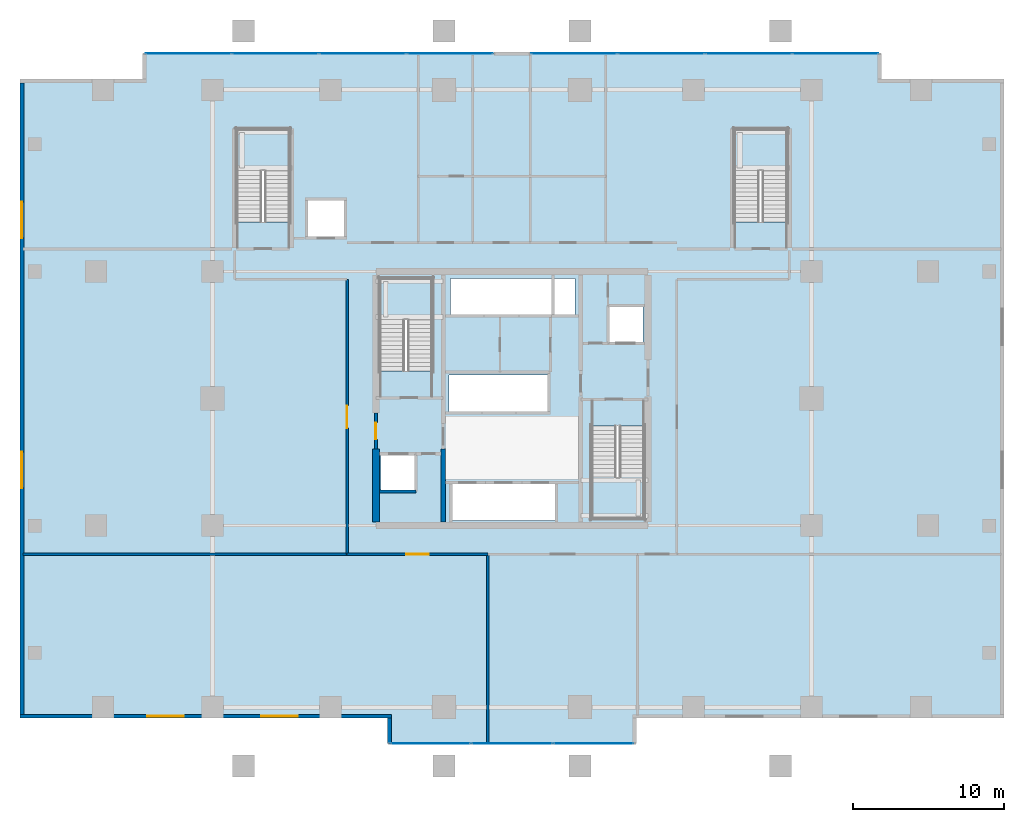
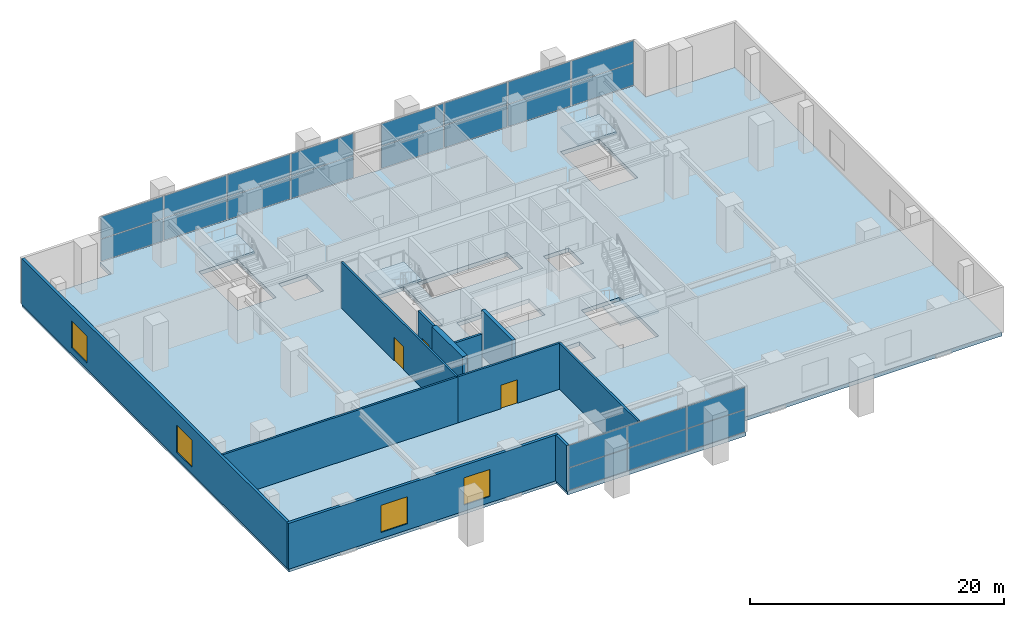
# One storey, part 12 of 20: 22 plates, 11 walls, 5 slabs, 4 windows, 3 doors, 7 openings, 7 elements without a shape of their own.
"""IFC4 building model written with IfcOpenShell, lengths in metres."""

from ifc_helpers import new_model, si_unit, direction, frame, frame_2d, origin, origin_2d, place, context, subcontext, project, spatial, polyline, rectangle, outline, extrude, source, transform, mapped, material, layer, layer_set, type_object, element, fill, aggregate, save


model = new_model("IFC4")

# Units and contexts
model_context = context("Model", 3, precision=1e-05, world=origin(), true_north=direction((0.0, 1.0)))
body_context = subcontext(model_context, "Body", "Model", "MODEL_VIEW")
ifc_project = project(units=[si_unit("LENGTHUNIT", "METRE"), si_unit("AREAUNIT", "SQUARE_METRE"), si_unit("VOLUMEUNIT", "CUBIC_METRE"), si_unit("PLANEANGLEUNIT", "RADIAN"), si_unit("MASSUNIT", "GRAM", prefix="KILO")], contexts=[model_context])

# Site, building, storey
site_placement = place(None, origin())
site = spatial("IfcSite", under=ifc_project, at=site_placement, CompositionType="ELEMENT")
building_placement = place(site_placement, origin())
building = spatial("IfcBuilding", under=site, at=building_placement, Name="Serunith Strait Residences", CompositionType="ELEMENT")
storey_placement = place(building_placement, frame((0.0, 0.0, 10.5)))
storey = spatial("IfcBuildingStorey", under=building, at=storey_placement, Name="L02", CompositionType="ELEMENT", Elevation=10.5)

# Stair, slab
ifc_material_1 = material(Name="Concrete C50/60", Category="concrete")
stair_type_1 = type_object("IfcStairType", Name="STR-CORE-1", PredefinedType="HALF_TURN_STAIR", material=ifc_material_1)
stair_1_placement = place(storey_placement, origin())
stair_1 = element("IfcStair", 1, at=stair_1_placement, inside=storey, type_object=stair_type_1, Name="L02 Protected Escape Stair ST-1", PredefinedType="HALF_TURN_STAIR")
ifc_layer_1 = layer(ifc_material_1, 0.199951171875, Name="Concrete C50/60")
ifc_layer_set_1 = layer_set([ifc_layer_1], Name="Concrete C50/60")
slab_type_1 = type_object("IfcSlabType", Name="SLB-LAND-200", PredefinedType="LANDING", material=ifc_layer_set_1)
slab_1_placement = place(storey_placement, frame((0.0, 0.0, 2.199951171875)))
slab_1 = element("IfcSlab", 2, at=slab_1_placement, type_object=slab_type_1, Name="ST-1 landing 1", PredefinedType="LANDING", context=body_context, shape_type="SweptSolid", body=[
    extrude(outline(polyline([(27.14990234375, 30.389892578125), (27.14990234375, 33.14990234375), (23.64990234375, 33.14990234375), (23.64990234375, 30.389892578125), (27.14990234375, 30.389892578125)])), origin(), (0.0, 0.0, 1.0), 0.199951171875),
])
aggregate(stair_1, [slab_1])

stair_type_2 = type_object("IfcStairType", Name="STR-CORE-2", PredefinedType="HALF_TURN_STAIR", material=ifc_material_1)
stair_2_placement = place(storey_placement, origin())
stair_2 = element("IfcStair", 3, at=stair_2_placement, inside=storey, type_object=stair_type_2, Name="L02 Protected Escape Stair ST-2", PredefinedType="HALF_TURN_STAIR")
slab_2_placement = place(storey_placement, frame((0.0, 0.0, 2.199951171875)))
slab_2 = element("IfcSlab", 4, at=slab_2_placement, type_object=slab_type_1, Name="ST-2 landing 1", PredefinedType="LANDING", context=body_context, shape_type="SweptSolid", body=[
    extrude(outline(polyline([(37.64990234375, 20.010009765625), (37.64990234375, 17.25), (41.14990234375, 17.25), (41.14990234375, 20.010009765625), (37.64990234375, 20.010009765625)])), origin(), (0.0, 0.0, 1.0), 0.199951171875),
])
aggregate(stair_2, [slab_2])

stair_type_3 = type_object("IfcStairType", Name="STR-POD-3", PredefinedType="HALF_TURN_STAIR", material=ifc_material_1)
stair_3_placement = place(storey_placement, origin())
stair_3 = element("IfcStair", 5, at=stair_3_placement, inside=storey, type_object=stair_type_3, Name="L02 Podium Escape Stair ST-3", PredefinedType="HALF_TURN_STAIR")
slab_3_placement = place(storey_placement, frame((0.0, 0.0, 2.199951171875)))
slab_3 = element("IfcSlab", 6, at=slab_3_placement, type_object=slab_type_1, Name="ST-3 landing 1", PredefinedType="LANDING", context=body_context, shape_type="SweptSolid", body=[
    extrude(outline(polyline([(17.699951171875, 40.239990234375), (17.699951171875, 43.0), (14.199951171875, 43.0), (14.199951171875, 40.239990234375), (17.699951171875, 40.239990234375)])), origin(), (0.0, 0.0, 1.0), 0.199951171875),
])
aggregate(stair_3, [slab_3])

stair_type_4 = type_object("IfcStairType", Name="STR-POD-4", PredefinedType="HALF_TURN_STAIR", material=ifc_material_1)
stair_4_placement = place(storey_placement, origin())
stair_4 = element("IfcStair", 7, at=stair_4_placement, inside=storey, type_object=stair_type_4, Name="L02 Podium Escape Stair ST-4", PredefinedType="HALF_TURN_STAIR")
slab_4_placement = place(storey_placement, frame((0.0, 0.0, 2.199951171875)))
slab_4 = element("IfcSlab", 8, at=slab_4_placement, type_object=slab_type_1, Name="ST-4 landing 1", PredefinedType="LANDING", context=body_context, shape_type="SweptSolid", body=[
    extrude(outline(polyline([(50.60009765625, 40.239990234375), (50.60009765625, 43.0), (47.10009765625, 43.0), (47.10009765625, 40.239990234375), (50.60009765625, 40.239990234375)])), origin(), (0.0, 0.0, 1.0), 0.199951171875),
])
aggregate(stair_4, [slab_4])

# Slab
ifc_material_2 = material(Name="Concrete C60/75", Category="concrete")
ifc_layer_2 = layer(ifc_material_2, 0.3798828125, Name="Concrete C60/75")
ifc_layer_set_2 = layer_set([ifc_layer_2], Name="Concrete C60/75")
slab_type_2 = type_object("IfcSlabType", Name="SLB-POD-380", PredefinedType="FLOOR", material=ifc_layer_set_2)
slab_5_placement = place(storey_placement, frame((0.0, 0.0, -0.3798828125)))
element("IfcSlab", 9, at=slab_5_placement, inside=storey, type_object=slab_type_2, Name="L02 Structural Floor Plate", PredefinedType="FLOOR", context=body_context, shape_type="SweptSolid", body=[
    extrude(outline(polyline([(0.0, 46.199951171875), (8.10009765625, 46.199951171875), (8.10009765625, 48.0), (56.699951171875, 48.0), (56.699951171875, 46.199951171875), (64.800048828125, 46.199951171875), (64.800048828125, 4.199951171875), (40.5, 4.199951171875), (40.5, 2.39990234375), (24.300048828125, 2.39990234375), (24.300048828125, 4.199951171875), (0.0, 4.199951171875), (0.0, 46.199951171875)]), holes=[polyline([(50.60009765625, 43.0), (47.10009765625, 43.0), (47.10009765625, 36.8798828125), (50.60009765625, 36.8798828125), (50.60009765625, 43.0)]), polyline([(41.14990234375, 17.25), (41.14990234375, 23.3701171875), (37.64990234375, 23.3701171875), (37.64990234375, 17.25), (41.14990234375, 17.25)]), polyline([(41.050048828125, 28.85009765625), (41.050048828125, 31.25), (38.75, 31.25), (38.75, 28.85009765625), (41.050048828125, 28.85009765625)]), polyline([(36.550048828125, 33.14990234375), (28.35009765625, 33.14990234375), (28.35009765625, 30.64990234375), (36.550048828125, 30.64990234375), (36.550048828125, 33.14990234375)]), polyline([(35.35009765625, 19.64990234375), (28.35009765625, 19.64990234375), (28.35009765625, 17.14990234375), (35.35009765625, 17.14990234375), (35.35009765625, 19.64990234375)]), polyline([(34.85009765625, 24.25), (34.85009765625, 26.75), (28.25, 26.75), (28.25, 24.25), (34.85009765625, 24.25)]), polyline([(23.64990234375, 33.14990234375), (23.64990234375, 27.030029296875), (27.14990234375, 27.030029296875), (27.14990234375, 33.14990234375), (23.64990234375, 33.14990234375)]), polyline([(26.050048828125, 21.550048828125), (23.75, 21.550048828125), (23.75, 19.14990234375), (26.050048828125, 19.14990234375), (26.050048828125, 21.550048828125)]), polyline([(21.39990234375, 38.39990234375), (18.800048828125, 38.39990234375), (18.800048828125, 35.800048828125), (21.39990234375, 35.800048828125), (21.39990234375, 38.39990234375)]), polyline([(17.699951171875, 43.0), (14.199951171875, 43.0), (14.199951171875, 36.8798828125), (17.699951171875, 36.8798828125), (17.699951171875, 43.0)])]), origin(), (0.0, 0.0, 1.0), 0.3798828125),
])

# Curtain wall, plates
ifc_material_3 = material(Name="Pale-Champagne Anodised Aluminium", Category="aluminium")
ifc_layer_3 = layer(ifc_material_3, 0.199951171875, Name="Pale-Champagne Anodised Aluminium")
ifc_layer_set_3 = layer_set([ifc_layer_3], Name="Pale-Champagne Anodised Aluminium")
curtain_wall_type = type_object("IfcCurtainWallType", Name="CW-SYS6", PredefinedType="NOTDEFINED", material=ifc_layer_set_3)
curtain_wall_1_placement = place(storey_placement, origin())
curtain_wall_1 = element("IfcCurtainWall", 10, at=curtain_wall_1_placement, inside=storey, type_object=curtain_wall_type, Name="L02 Podium Galleria Curtain Wall 3A", PredefinedType="NOTDEFINED")
ifc_material_4 = material(Name="Waterfront Podium Structural Glazing 36mm", Category="glass")
ifc_layer_4 = layer(ifc_material_4, 0.035888671875, Name="Waterfront Podium Structural Glazing 36mm")
ifc_layer_set_4 = layer_set([ifc_layer_4], Name="Waterfront Podium Structural Glazing 36mm")
plate_type = type_object("IfcPlateType", Name="CW-SYS6-PNL", PredefinedType="CURTAIN_PANEL", material=ifc_layer_set_4)
shared_shape_1 = source(origin(), body_context, "Body", "SweptSolid", [
    extrude(rectangle(XDim=5.28759765625, YDim=0.035888671875, at=origin_2d()), origin(), (0.0, 0.0, 1.0), 2.112548828125),
])
plate_1_placement = place(storey_placement, frame((27.018798828125, 2.39990234375, 0.06005859375), z_axis=(0.0, 0.0, 1.0), x_axis=(1.0, 0.0, 0.0)))
plate_1 = element("IfcPlate", 11, at=plate_1_placement, type_object=plate_type, Name="CW-6 panel 1.1", PredefinedType="CURTAIN_PANEL", context=body_context, shape_type="MappedRepresentation", body=[
    mapped(shared_shape_1, transform((0.0, 0.0, 0.0), scale=1.0)),
])
plate_2_placement = place(storey_placement, frame((27.018798828125, 2.39990234375, 2.232421875), z_axis=(0.0, 0.0, 1.0), x_axis=(1.0, 0.0, 0.0)))
plate_2 = element("IfcPlate", 12, at=plate_2_placement, type_object=plate_type, Name="CW-6 panel 1.2", PredefinedType="CURTAIN_PANEL", context=body_context, shape_type="MappedRepresentation", body=[
    mapped(shared_shape_1, transform((0.0, 0.0, 0.0), scale=1.0)),
])
plate_3_placement = place(storey_placement, frame((37.78125, 2.39990234375, 0.06005859375), z_axis=(0.0, 0.0, 1.0), x_axis=(1.0, 0.0, 0.0)))
plate_3 = element("IfcPlate", 13, at=plate_3_placement, type_object=plate_type, Name="CW-6 panel 3.1", PredefinedType="CURTAIN_PANEL", context=body_context, shape_type="MappedRepresentation", body=[
    mapped(shared_shape_1, transform((0.0, 0.0, 0.0), scale=1.0)),
])
plate_4_placement = place(storey_placement, frame((37.78125, 2.39990234375, 2.232421875), z_axis=(0.0, 0.0, 1.0), x_axis=(1.0, 0.0, 0.0)))
plate_4 = element("IfcPlate", 14, at=plate_4_placement, type_object=plate_type, Name="CW-6 panel 3.2", PredefinedType="CURTAIN_PANEL", context=body_context, shape_type="MappedRepresentation", body=[
    mapped(shared_shape_1, transform((0.0, 0.0, 0.0), scale=1.0)),
])
shared_shape_2 = source(origin(), body_context, "Body", "SweptSolid", [
    extrude(rectangle(XDim=5.324951171875, YDim=0.035888671875, at=origin_2d()), origin(), (0.0, 0.0, 1.0), 2.112548828125),
])
plate_5_placement = place(storey_placement, frame((32.39990234375, 2.39990234375, 0.06005859375), z_axis=(0.0, 0.0, 1.0), x_axis=(1.0, 0.0, 0.0)))
plate_5 = element("IfcPlate", 15, at=plate_5_placement, type_object=plate_type, Name="CW-6 panel 2.1", PredefinedType="CURTAIN_PANEL", context=body_context, shape_type="MappedRepresentation", body=[
    mapped(shared_shape_2, transform((0.0, 0.0, 0.0), scale=1.0)),
])
plate_6_placement = place(storey_placement, frame((32.39990234375, 2.39990234375, 2.232421875), z_axis=(0.0, 0.0, 1.0), x_axis=(1.0, 0.0, 0.0)))
plate_6 = element("IfcPlate", 16, at=plate_6_placement, type_object=plate_type, Name="CW-6 panel 2.2", PredefinedType="CURTAIN_PANEL", context=body_context, shape_type="MappedRepresentation", body=[
    mapped(shared_shape_2, transform((0.0, 0.0, 0.0), scale=1.0)),
])
aggregate(curtain_wall_1, [plate_1, plate_2, plate_5, plate_6, plate_3, plate_4])

curtain_wall_2_placement = place(storey_placement, origin())
curtain_wall_2 = element("IfcCurtainWall", 17, at=curtain_wall_2_placement, inside=storey, type_object=curtain_wall_type, Name="L02 Podium Galleria Curtain Wall 9A", PredefinedType="NOTDEFINED")
shared_shape_3 = source(origin(), body_context, "Body", "SweptSolid", [
    extrude(rectangle(XDim=5.66259765625, YDim=0.035888671875, at=origin_2d()), origin(), (0.0, 0.0, 1.0), 2.112548828125),
])
plate_7_placement = place(storey_placement, frame((53.793701171875, 48.0, 0.06005859375), z_axis=(0.0, 0.0, 1.0), x_axis=(-1.0, 0.0, 0.0)))
plate_7 = element("IfcPlate", 18, at=plate_7_placement, type_object=plate_type, Name="CW-6 panel 1.1", PredefinedType="CURTAIN_PANEL", context=body_context, shape_type="MappedRepresentation", body=[
    mapped(shared_shape_3, transform((0.0, 0.0, 0.0), scale=1.0)),
])
plate_8_placement = place(storey_placement, frame((53.793701171875, 48.0, 2.232421875), z_axis=(0.0, 0.0, 1.0), x_axis=(-1.0, 0.0, 0.0)))
plate_8 = element("IfcPlate", 19, at=plate_8_placement, type_object=plate_type, Name="CW-6 panel 1.2", PredefinedType="CURTAIN_PANEL", context=body_context, shape_type="MappedRepresentation", body=[
    mapped(shared_shape_3, transform((0.0, 0.0, 0.0), scale=1.0)),
])
plate_9_placement = place(storey_placement, frame((36.50634765625, 48.0, 0.06005859375), z_axis=(0.0, 0.0, 1.0), x_axis=(-1.0, 0.0, 0.0)))
plate_9 = element("IfcPlate", 20, at=plate_9_placement, type_object=plate_type, Name="CW-6 panel 4.1", PredefinedType="CURTAIN_PANEL", context=body_context, shape_type="MappedRepresentation", body=[
    mapped(shared_shape_3, transform((0.0, 0.0, 0.0), scale=1.0)),
])
plate_10_placement = place(storey_placement, frame((36.50634765625, 48.0, 2.232421875), z_axis=(0.0, 0.0, 1.0), x_axis=(-1.0, 0.0, 0.0)))
plate_10 = element("IfcPlate", 21, at=plate_10_placement, type_object=plate_type, Name="CW-6 panel 4.2", PredefinedType="CURTAIN_PANEL", context=body_context, shape_type="MappedRepresentation", body=[
    mapped(shared_shape_3, transform((0.0, 0.0, 0.0), scale=1.0)),
])

curtain_wall_3_placement = place(storey_placement, origin())
curtain_wall_3 = element("IfcCurtainWall", 22, at=curtain_wall_3_placement, inside=storey, type_object=curtain_wall_type, Name="L02 Podium Galleria Curtain Wall 9B", PredefinedType="NOTDEFINED")
plate_11_placement = place(storey_placement, frame((28.293701171875, 48.0, 0.06005859375), z_axis=(0.0, 0.0, 1.0), x_axis=(-1.0, 0.0, 0.0)))
plate_11 = element("IfcPlate", 23, at=plate_11_placement, type_object=plate_type, Name="CW-6 panel 1.1", PredefinedType="CURTAIN_PANEL", context=body_context, shape_type="MappedRepresentation", body=[
    mapped(shared_shape_3, transform((0.0, 0.0, 0.0), scale=1.0)),
])
plate_12_placement = place(storey_placement, frame((28.293701171875, 48.0, 2.232421875), z_axis=(0.0, 0.0, 1.0), x_axis=(-1.0, 0.0, 0.0)))
plate_12 = element("IfcPlate", 24, at=plate_12_placement, type_object=plate_type, Name="CW-6 panel 1.2", PredefinedType="CURTAIN_PANEL", context=body_context, shape_type="MappedRepresentation", body=[
    mapped(shared_shape_3, transform((0.0, 0.0, 0.0), scale=1.0)),
])
plate_13_placement = place(storey_placement, frame((11.00634765625, 48.0, 0.06005859375), z_axis=(0.0, 0.0, 1.0), x_axis=(-1.0, 0.0, 0.0)))
plate_13 = element("IfcPlate", 25, at=plate_13_placement, type_object=plate_type, Name="CW-6 panel 4.1", PredefinedType="CURTAIN_PANEL", context=body_context, shape_type="MappedRepresentation", body=[
    mapped(shared_shape_3, transform((0.0, 0.0, 0.0), scale=1.0)),
])
plate_14_placement = place(storey_placement, frame((11.00634765625, 48.0, 2.232421875), z_axis=(0.0, 0.0, 1.0), x_axis=(-1.0, 0.0, 0.0)))
plate_14 = element("IfcPlate", 26, at=plate_14_placement, type_object=plate_type, Name="CW-6 panel 4.2", PredefinedType="CURTAIN_PANEL", context=body_context, shape_type="MappedRepresentation", body=[
    mapped(shared_shape_3, transform((0.0, 0.0, 0.0), scale=1.0)),
])

# Plate
shared_shape_4 = source(origin(), body_context, "Body", "SweptSolid", [
    extrude(rectangle(XDim=5.699951171875, YDim=0.035888671875, at=origin_2d()), origin(), (0.0, 0.0, 1.0), 2.112548828125),
])
plate_15_placement = place(storey_placement, frame((48.03759765625, 48.0, 0.06005859375), z_axis=(0.0, 0.0, 1.0), x_axis=(-1.0, 0.0, 0.0)))
plate_15 = element("IfcPlate", 27, at=plate_15_placement, type_object=plate_type, Name="CW-6 panel 2.1", PredefinedType="CURTAIN_PANEL", context=body_context, shape_type="MappedRepresentation", body=[
    mapped(shared_shape_4, transform((0.0, 0.0, 0.0), scale=1.0)),
])

plate_16_placement = place(storey_placement, frame((48.03759765625, 48.0, 2.232421875), z_axis=(0.0, 0.0, 1.0), x_axis=(-1.0, 0.0, 0.0)))
plate_16 = element("IfcPlate", 28, at=plate_16_placement, type_object=plate_type, Name="CW-6 panel 2.2", PredefinedType="CURTAIN_PANEL", context=body_context, shape_type="MappedRepresentation", body=[
    mapped(shared_shape_4, transform((0.0, 0.0, 0.0), scale=1.0)),
])

plate_17_placement = place(storey_placement, frame((42.262451171875, 48.0, 0.06005859375), z_axis=(0.0, 0.0, 1.0), x_axis=(-1.0, 0.0, 0.0)))
plate_17 = element("IfcPlate", 29, at=plate_17_placement, type_object=plate_type, Name="CW-6 panel 3.1", PredefinedType="CURTAIN_PANEL", context=body_context, shape_type="MappedRepresentation", body=[
    mapped(shared_shape_4, transform((0.0, 0.0, 0.0), scale=1.0)),
])

plate_18_placement = place(storey_placement, frame((42.262451171875, 48.0, 2.232421875), z_axis=(0.0, 0.0, 1.0), x_axis=(-1.0, 0.0, 0.0)))
plate_18 = element("IfcPlate", 30, at=plate_18_placement, type_object=plate_type, Name="CW-6 panel 3.2", PredefinedType="CURTAIN_PANEL", context=body_context, shape_type="MappedRepresentation", body=[
    mapped(shared_shape_4, transform((0.0, 0.0, 0.0), scale=1.0)),
])

aggregate(curtain_wall_2, [plate_7, plate_8, plate_15, plate_16, plate_17, plate_18, plate_9, plate_10])

plate_19_placement = place(storey_placement, frame((22.53759765625, 48.0, 0.06005859375), z_axis=(0.0, 0.0, 1.0), x_axis=(-1.0, 0.0, 0.0)))
plate_19 = element("IfcPlate", 31, at=plate_19_placement, type_object=plate_type, Name="CW-6 panel 2.1", PredefinedType="CURTAIN_PANEL", context=body_context, shape_type="MappedRepresentation", body=[
    mapped(shared_shape_4, transform((0.0, 0.0, 0.0), scale=1.0)),
])

plate_20_placement = place(storey_placement, frame((22.53759765625, 48.0, 2.232421875), z_axis=(0.0, 0.0, 1.0), x_axis=(-1.0, 0.0, 0.0)))
plate_20 = element("IfcPlate", 32, at=plate_20_placement, type_object=plate_type, Name="CW-6 panel 2.2", PredefinedType="CURTAIN_PANEL", context=body_context, shape_type="MappedRepresentation", body=[
    mapped(shared_shape_4, transform((0.0, 0.0, 0.0), scale=1.0)),
])

plate_21_placement = place(storey_placement, frame((16.762451171875, 48.0, 0.06005859375), z_axis=(0.0, 0.0, 1.0), x_axis=(-1.0, 0.0, 0.0)))
plate_21 = element("IfcPlate", 33, at=plate_21_placement, type_object=plate_type, Name="CW-6 panel 3.1", PredefinedType="CURTAIN_PANEL", context=body_context, shape_type="MappedRepresentation", body=[
    mapped(shared_shape_4, transform((0.0, 0.0, 0.0), scale=1.0)),
])

plate_22_placement = place(storey_placement, frame((16.762451171875, 48.0, 2.232421875), z_axis=(0.0, 0.0, 1.0), x_axis=(-1.0, 0.0, 0.0)))
plate_22 = element("IfcPlate", 34, at=plate_22_placement, type_object=plate_type, Name="CW-6 panel 3.2", PredefinedType="CURTAIN_PANEL", context=body_context, shape_type="MappedRepresentation", body=[
    mapped(shared_shape_4, transform((0.0, 0.0, 0.0), scale=1.0)),
])

aggregate(curtain_wall_3, [plate_11, plate_12, plate_19, plate_20, plate_21, plate_22, plate_13, plate_14])

# Wall, openings, windows
ifc_material_5 = material(Name="Pale-Silver Aluminium Terracotta-Backed Wall", Category="masonry")
ifc_layer_5 = layer(ifc_material_5, 0.25, Name="Pale-Silver Aluminium Terracotta-Backed Wall")
ifc_layer_set_5 = layer_set([ifc_layer_5], Name="Pale-Silver Aluminium Terracotta-Backed Wall")
wall_type_1 = type_object("IfcWallType", Name="EW-POD-250", PredefinedType="ELEMENTEDWALL", material=ifc_layer_set_5)
wall_1_placement = place(storey_placement, frame((-0.125, 4.199951171875, 0.0), z_axis=(0.0, 0.0, 1.0), x_axis=(1.0, 0.0, 0.0)))
wall_1 = element("IfcWall", 35, at=wall_1_placement, inside=storey, type_object=wall_type_1, Name="L02 Podium Envelope Wall 1", PredefinedType="ELEMENTEDWALL", context=body_context, shape_type="SweptSolid", body=[
    extrude(rectangle(XDim=24.550048828125, YDim=0.25, at=frame_2d((12.27490234375, 0.0))), origin(), (0.0, 0.0, 1.0), 4.405029296875),
])
opening_1_placement = place(wall_1_placement, frame((8.4169921875, 0.0, 0.60009765625)))
opening_1 = element("IfcOpeningElement", 36, at=opening_1_placement, cuts=wall_1, Name="Opening W-08", PredefinedType="OPENING", context=body_context, shape_type="SweptSolid", body=[
    extrude(rectangle(XDim=2.39990234375, YDim=2.60009765625, at=frame_2d((1.199951171875, 1.300048828125))), frame((0.0, 0.135009765625, 0.0), z_axis=(0.0, -1.0, 0.0), x_axis=(1.0, 0.0, 0.0)), (0.0, 0.0, 1.0), 0.27001953125),
])
opening_2_placement = place(wall_1_placement, frame((15.947998046875, 0.0, 0.60009765625)))
opening_2 = element("IfcOpeningElement", 37, at=opening_2_placement, cuts=wall_1, Name="Opening W-08", PredefinedType="OPENING", context=body_context, shape_type="SweptSolid", body=[
    extrude(rectangle(XDim=2.39990234375, YDim=2.60009765625, at=frame_2d((1.199951171875, 1.300048828125))), frame((0.0, 0.135009765625, 0.0), z_axis=(0.0, -1.0, 0.0), x_axis=(1.0, 0.0, 0.0)), (0.0, 0.0, 1.0), 0.27001953125),
])
ifc_material_6 = material(Name="Podium Club Operable Window Glass", Category="glass")
window_type = type_object("IfcWindowType", Name="WIN-POD2", PartitioningType="DOUBLE_PANEL_VERTICAL", PredefinedType="WINDOW", material=ifc_material_6)
shared_shape_5 = source(origin(), body_context, "Body", "SweptSolid", [
    extrude(rectangle(XDim=2.39990234375, YDim=2.60009765625, at=frame_2d((1.199951171875, 1.300048828125))), frame((0.0, 0.030029296875, 0.0), z_axis=(0.0, -1.0, 0.0), x_axis=(1.0, 0.0, 0.0)), (0.0, 0.0, 1.0), 0.06005859375),
])
window_1_placement = place(opening_1_placement, origin())
window_1 = element("IfcWindow", 38, at=window_1_placement, inside=storey, type_object=window_type, Name="L02 Podium Window 1A", OverallHeight=2.60009765625, OverallWidth=2.39990234375, PartitioningType="SINGLE_PANEL", PredefinedType="WINDOW", context=body_context, shape_type="MappedRepresentation", body=[
    mapped(shared_shape_5, transform((0.0, 0.0, 0.0), scale=1.0)),
])
fill(opening_1, window_1)
window_2_placement = place(opening_2_placement, origin())
window_2 = element("IfcWindow", 39, at=window_2_placement, inside=storey, type_object=window_type, Name="L02 Podium Window 1B", OverallHeight=2.60009765625, OverallWidth=2.39990234375, PartitioningType="SINGLE_PANEL", PredefinedType="WINDOW", context=body_context, shape_type="MappedRepresentation", body=[
    mapped(shared_shape_5, transform((0.0, 0.0, 0.0), scale=1.0)),
])
fill(opening_2, window_2)

# Wall
wall_2_placement = place(storey_placement, frame((24.300048828125, 4.074951171875, 0.0), z_axis=(0.0, 0.0, 1.0), x_axis=(0.0, -1.0, 0.0)))
element("IfcWall", 40, at=wall_2_placement, inside=storey, type_object=wall_type_1, Name="L02 Podium Envelope Wall 2", PredefinedType="ELEMENTEDWALL", context=body_context, shape_type="SweptSolid", body=[
    extrude(rectangle(XDim=1.675048828125, YDim=0.25, at=frame_2d((0.83740234375, 0.0))), origin(), (0.0, 0.0, 1.0), 4.405029296875),
])

# Wall, openings, windows
wall_3_placement = place(storey_placement, frame((0.0, 46.074951171875, 0.0), z_axis=(0.0, 0.0, 1.0), x_axis=(0.0, -1.0, 0.0)))
wall_3 = element("IfcWall", 41, at=wall_3_placement, inside=storey, type_object=wall_type_1, Name="L02 Podium Envelope Wall 12", PredefinedType="ELEMENTEDWALL", context=body_context, shape_type="SweptSolid", body=[
    extrude(rectangle(XDim=41.75, YDim=0.25, at=frame_2d((20.875, 0.0))), origin(), (0.0, 0.0, 1.0), 4.405029296875),
])
opening_3_placement = place(wall_3_placement, frame((7.8701171875, 0.0, 0.60009765625)))
opening_3 = element("IfcOpeningElement", 42, at=opening_3_placement, cuts=wall_3, Name="Opening W-08", PredefinedType="OPENING", context=body_context, shape_type="SweptSolid", body=[
    extrude(rectangle(XDim=2.39990234375, YDim=2.60009765625, at=frame_2d((1.199951171875, 1.300048828125))), frame((0.0, 0.135009765625, 0.0), z_axis=(0.0, -1.0, 0.0), x_axis=(1.0, 0.0, 0.0)), (0.0, 0.0, 1.0), 0.27001953125),
])
opening_4_placement = place(wall_3_placement, frame((24.39697265625, 0.0, 0.60009765625)))
opening_4 = element("IfcOpeningElement", 43, at=opening_4_placement, cuts=wall_3, Name="Opening W-08", PredefinedType="OPENING", context=body_context, shape_type="SweptSolid", body=[
    extrude(rectangle(XDim=2.39990234375, YDim=2.60009765625, at=frame_2d((1.199951171875, 1.300048828125))), frame((0.0, 0.135009765625, 0.0), z_axis=(0.0, -1.0, 0.0), x_axis=(1.0, 0.0, 0.0)), (0.0, 0.0, 1.0), 0.27001953125),
])
window_3_placement = place(opening_3_placement, origin())
window_3 = element("IfcWindow", 44, at=window_3_placement, inside=storey, type_object=window_type, Name="L02 Podium Window 12A", OverallHeight=2.60009765625, OverallWidth=2.39990234375, PartitioningType="SINGLE_PANEL", PredefinedType="WINDOW", context=body_context, shape_type="MappedRepresentation", body=[
    mapped(shared_shape_5, transform((0.0, 0.0, 0.0), scale=1.0)),
])
fill(opening_3, window_3)
window_4_placement = place(opening_4_placement, origin())
window_4 = element("IfcWindow", 45, at=window_4_placement, inside=storey, type_object=window_type, Name="L02 Podium Window 12B", OverallHeight=2.60009765625, OverallWidth=2.39990234375, PartitioningType="SINGLE_PANEL", PredefinedType="WINDOW", context=body_context, shape_type="MappedRepresentation", body=[
    mapped(shared_shape_5, transform((0.0, 0.0, 0.0), scale=1.0)),
])
fill(opening_4, window_4)

# Wall
ifc_material_7 = material(Name="Fire-rated acoustic gypsum partition")
ifc_layer_6 = layer(ifc_material_7, 0.179931640625, Name="Fire-rated acoustic gypsum partition")
ifc_layer_set_6 = layer_set([ifc_layer_6], Name="Fire-rated acoustic gypsum partition")
wall_type_2 = type_object("IfcWallType", Name="IW-CORR-180", PredefinedType="PARTITIONING", material=ifc_layer_set_6)
wall_4_placement = place(storey_placement, frame((0.08203125, 14.89990234375, 0.0), z_axis=(0.0, 0.0, 1.0), x_axis=(1.0, 0.0, 0.0)))
element("IfcWall", 46, at=wall_4_placement, inside=storey, type_object=wall_type_2, Name="L02 Partition Wall 015", PredefinedType="PARTITIONING", context=body_context, shape_type="SweptSolid", body=[
    extrude(rectangle(XDim=21.41796875, YDim=0.179931640625, at=frame_2d((10.708984375, 0.0))), origin(), (0.0, 0.0, 1.0), 4.419921875),
])

# Wall, opening, door
wall_5_placement = place(storey_placement, frame((21.5, 14.89990234375, 0.0), z_axis=(0.0, 0.0, 1.0), x_axis=(0.0, 1.0, 0.0)))
wall_5 = element("IfcWall", 47, at=wall_5_placement, inside=storey, type_object=wall_type_2, Name="L02 Partition Wall 025", PredefinedType="PARTITIONING", context=body_context, shape_type="SweptSolid", body=[
    extrude(rectangle(XDim=18.18017578125, YDim=0.179931640625, at=frame_2d((9.090087890625, 0.0))), origin(), (0.0, 0.0, 1.0), 4.419921875),
])
opening_5_placement = place(wall_5_placement, frame((8.340087890625, 0.0, 0.0)))
opening_5 = element("IfcOpeningElement", 48, at=opening_5_placement, cuts=wall_5, Name="Opening D-POD1500", PredefinedType="OPENING", context=body_context, shape_type="SweptSolid", body=[
    extrude(rectangle(XDim=1.5, YDim=2.25, at=frame_2d((0.75, 1.125))), frame((0.0, 0.10009765625, 0.0), z_axis=(0.0, -1.0, 0.0), x_axis=(1.0, 0.0, 0.0)), (0.0, 0.0, 1.0), 0.199951171875),
])
ifc_material_8 = material(Name="Pale-champagne aluminium glazed double door", Category="aluminium")
door_type_1 = type_object("IfcDoorType", Name="ID-POD-1500", OperationType="DOUBLE_DOOR_SINGLE_SWING", PredefinedType="DOOR", material=ifc_material_8)
shared_shape_6 = source(origin(), body_context, "Body", "SweptSolid", [
    extrude(rectangle(XDim=1.5, YDim=2.25, at=frame_2d((0.75, 1.125))), frame((0.0, 0.02490234375, 0.0), z_axis=(0.0, -1.0, 0.0), x_axis=(1.0, 0.0, 0.0)), (0.0, 0.0, 1.0), 0.050048828125),
])
door_1_placement = place(opening_5_placement, origin())
door_1 = element("IfcDoor", 49, at=door_1_placement, inside=storey, type_object=door_type_1, Name="L02 West Wing Suite Door", OperationType="DOUBLE_DOOR_SINGLE_SWING", OverallHeight=2.25, OverallWidth=1.5, PredefinedType="DOOR", context=body_context, shape_type="MappedRepresentation", body=[
    mapped(shared_shape_6, transform((0.0, 0.0, 0.0), scale=1.0)),
])
fill(opening_5, door_1)

wall_6_placement = place(storey_placement, frame((21.501953125, 14.89990234375, 0.0), z_axis=(0.0, 0.0, 1.0), x_axis=(1.0, 0.0, 0.0)))
wall_6 = element("IfcWall", 50, at=wall_6_placement, inside=storey, type_object=wall_type_2, Name="L02 Partition Wall 031", PredefinedType="PARTITIONING", context=body_context, shape_type="SweptSolid", body=[
    extrude(rectangle(XDim=9.298095703125, YDim=0.179931640625, at=frame_2d((4.64892578125, 0.0))), origin(), (0.0, 0.0, 1.0), 4.419921875),
])
opening_6_placement = place(wall_6_placement, frame((3.89892578125, 0.0, 0.0)))
opening_6 = element("IfcOpeningElement", 51, at=opening_6_placement, cuts=wall_6, Name="Opening D-POD1500", PredefinedType="OPENING", context=body_context, shape_type="SweptSolid", body=[
    extrude(rectangle(XDim=1.5, YDim=2.25, at=frame_2d((0.75, 1.125))), frame((0.0, 0.10009765625, 0.0), z_axis=(0.0, -1.0, 0.0), x_axis=(1.0, 0.0, 0.0)), (0.0, 0.0, 1.0), 0.199951171875),
])
door_2_placement = place(opening_6_placement, origin())
door_2 = element("IfcDoor", 52, at=door_2_placement, inside=storey, type_object=door_type_1, Name="L02 South-West Suite Door", OperationType="DOUBLE_DOOR_SINGLE_SWING", OverallHeight=2.25, OverallWidth=1.5, PredefinedType="DOOR", context=body_context, shape_type="MappedRepresentation", body=[
    mapped(shared_shape_6, transform((0.0, 0.0, 0.0), scale=1.0)),
])
fill(opening_6, door_2)

# Walls
wall_7_placement = place(storey_placement, frame((30.800048828125, 2.48193359375, 0.0), z_axis=(0.0, 0.0, 1.0), x_axis=(0.0, 1.0, 0.0)))
element("IfcWall", 53, at=wall_7_placement, inside=storey, type_object=wall_type_2, Name="L02 Partition Wall 039", PredefinedType="PARTITIONING", context=body_context, shape_type="SweptSolid", body=[
    extrude(rectangle(XDim=12.41796875, YDim=0.179931640625, at=frame_2d((6.208984375, 0.0))), origin(), (0.0, 0.0, 1.0), 4.419921875),
])
ifc_material_9 = material(Name="Autoclaved aerated concrete blockwork", Category="masonry")
ifc_layer_7 = layer(ifc_material_9, 0.199951171875, Name="Autoclaved aerated concrete blockwork")
ifc_layer_set_7 = layer_set([ifc_layer_7], Name="Autoclaved aerated concrete blockwork")
wall_type_3 = type_object("IfcWallType", Name="IW-SHAFT-200", PredefinedType="STANDARD", material=ifc_layer_set_7)
wall_8_placement = place(storey_placement, frame((23.625, 19.050048828125, 0.0), z_axis=(0.0, 0.0, 1.0), x_axis=(1.0, 0.0, 0.0)))
element("IfcWall", 54, at=wall_8_placement, inside=storey, type_object=wall_type_3, Name="L02 Partition Wall 002", PredefinedType="STANDARD", context=body_context, shape_type="SweptSolid", body=[
    extrude(rectangle(XDim=2.425048828125, YDim=0.199951171875, at=frame_2d((1.21240234375, 0.0))), origin(), (0.0, 0.0, 1.0), 4.419921875),
])

# Wall, opening, door
wall_9_placement = place(storey_placement, frame((23.39990234375, 21.85205078125, 0.0), z_axis=(0.0, 0.0, 1.0), x_axis=(0.0, 1.0, 0.0)))
wall_9 = element("IfcWall", 55, at=wall_9_placement, inside=storey, type_object=wall_type_3, Name="L02 Partition Wall 007", PredefinedType="STANDARD", context=body_context, shape_type="SweptSolid", body=[
    extrude(rectangle(XDim=2.39599609375, YDim=0.199951171875, at=frame_2d((1.197998046875, 0.0))), origin(), (0.0, 0.0, 1.0), 4.419921875),
])
opening_7_placement = place(wall_9_placement, frame((0.64794921875, 0.0, 0.0)))
opening_7 = element("IfcOpeningElement", 56, at=opening_7_placement, cuts=wall_9, Name="Opening FD-FFL", PredefinedType="OPENING", context=body_context, shape_type="SweptSolid", body=[
    extrude(rectangle(XDim=1.10009765625, YDim=2.14990234375, at=frame_2d((0.550048828125, 1.074951171875))), frame((0.0, 0.10986328125, 0.0), z_axis=(0.0, -1.0, 0.0), x_axis=(1.0, 0.0, 0.0)), (0.0, 0.0, 1.0), 0.219970703125),
])
ifc_material_10 = material(Name="Glazed steel smoke-lobby fire door", Category="steel")
door_type_2 = type_object("IfcDoorType", Name="FD-FFL-1100", OperationType="NOTDEFINED", PredefinedType="DOOR", material=ifc_material_10)
shared_shape_7 = source(origin(), body_context, "Body", "SweptSolid", [
    extrude(rectangle(XDim=1.10009765625, YDim=2.14990234375, at=frame_2d((0.550048828125, 1.074951171875))), frame((0.0, 0.02490234375, 0.0), z_axis=(0.0, -1.0, 0.0), x_axis=(1.0, 0.0, 0.0)), (0.0, 0.0, 1.0), 0.050048828125),
])
door_3_placement = place(opening_7_placement, origin())
door_3 = element("IfcDoor", 57, at=door_3_placement, inside=storey, type_object=door_type_2, Name="L02 FFL-1 Corridor Fire Door", OperationType="SINGLE_SWING_LEFT", OverallHeight=2.14990234375, OverallWidth=1.10009765625, PredefinedType="DOOR", context=body_context, shape_type="MappedRepresentation", body=[
    mapped(shared_shape_7, transform((0.0, 0.0, 0.0), scale=1.0)),
])
fill(opening_7, door_3)

# Walls
ifc_material_11 = material(Name="Concrete C80/95", Category="concrete")
ifc_layer_8 = layer(ifc_material_11, 0.300048828125, Name="Concrete C80/95")
ifc_layer_set_8 = layer_set([ifc_layer_8], Name="Concrete C80/95")
wall_type_4 = type_object("IfcWallType", Name="SW-300-C80", PredefinedType="SHEAR", material=ifc_layer_set_8)
wall_10_placement = place(storey_placement, frame((27.85009765625, 17.02490234375, -0.3798828125), z_axis=(0.0, 0.0, 1.0), x_axis=(0.0, 1.0, 0.0)))
element("IfcWall", 58, at=wall_10_placement, inside=storey, type_object=wall_type_4, Name="L02 Core Internal West Web South Pier", PredefinedType="SHEAR", context=body_context, shape_type="SweptSolid", body=[
    extrude(rectangle(XDim=4.8251953125, YDim=0.300048828125, at=frame_2d((2.41259765625, 0.0))), origin(), (0.0, 0.0, 1.0), 4.7978515625),
])
ifc_layer_9 = layer(ifc_material_11, 0.449951171875, Name="Concrete C80/95")
ifc_layer_set_9 = layer_set([ifc_layer_9], Name="Concrete C80/95")
wall_type_5 = type_object("IfcWallType", Name="SW-450-C80", PredefinedType="SHEAR", material=ifc_layer_set_9)
wall_11_placement = place(storey_placement, frame((23.39990234375, 17.02490234375, -0.3798828125), z_axis=(0.0, 0.0, 1.0), x_axis=(0.0, 1.0, 0.0)))
element("IfcWall", 59, at=wall_11_placement, inside=storey, type_object=wall_type_5, Name="L02 Core West Shear Wall South Pier", PredefinedType="SHEAR", context=body_context, shape_type="SweptSolid", body=[
    extrude(rectangle(XDim=4.8251953125, YDim=0.449951171875, at=frame_2d((2.41259765625, 0.0))), origin(), (0.0, 0.0, 1.0), 4.7978515625),
])

save(model, "model.ifc")
